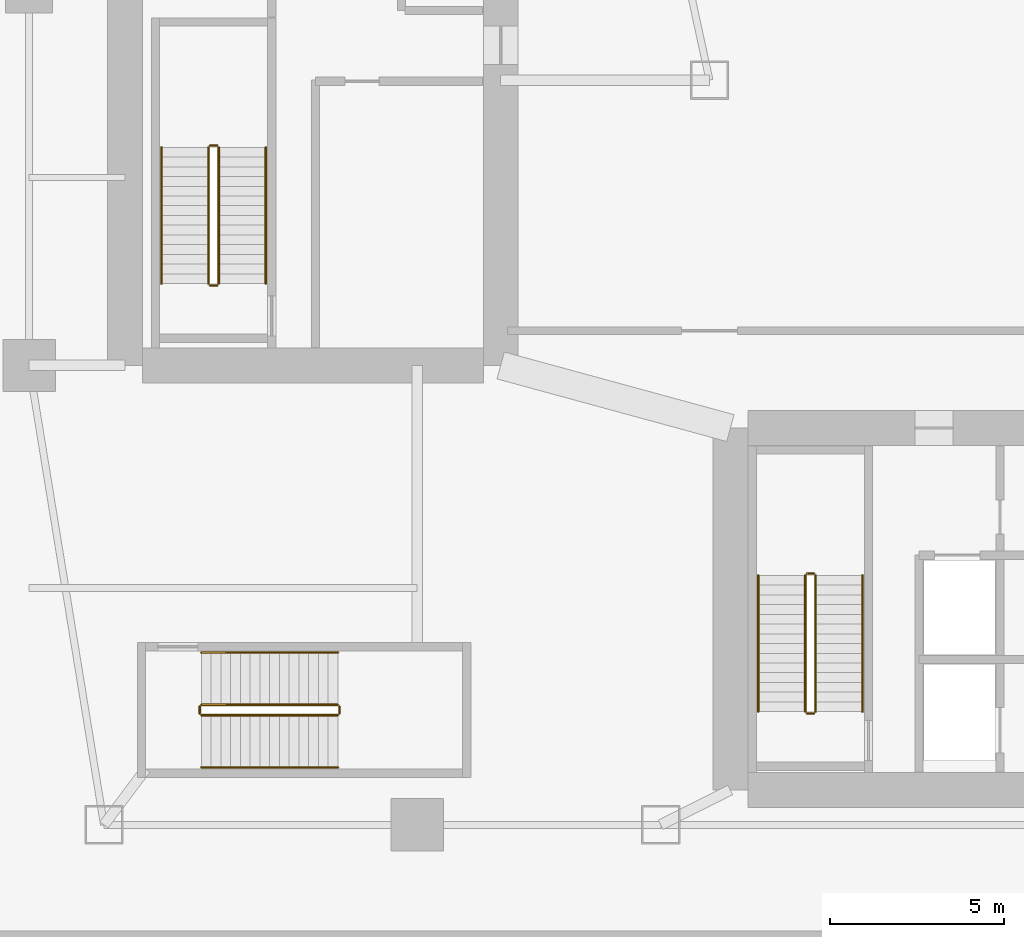
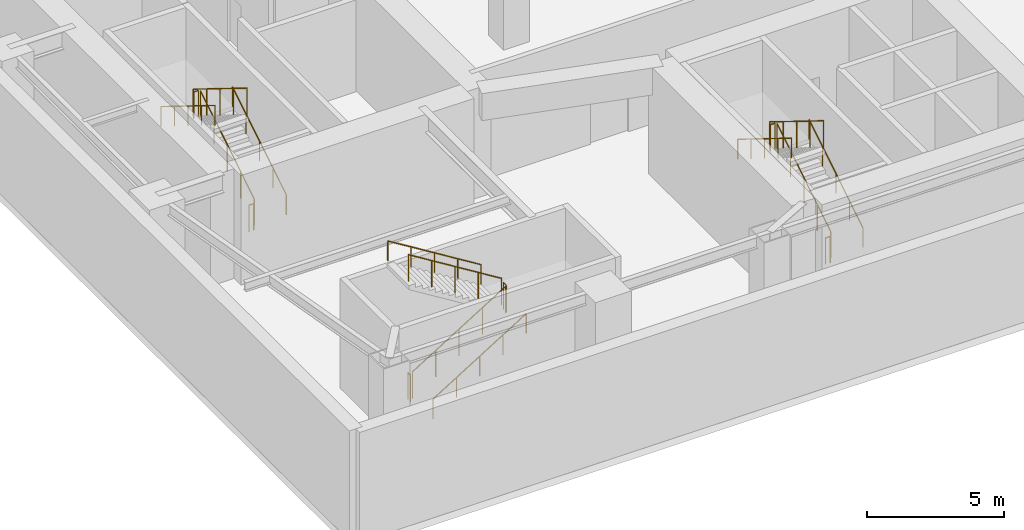
# One storey, part 10 of 13: 18 railings.
"""IFC4 building model written with IfcOpenShell, lengths in metres."""

from ifc_helpers import new_model, si_unit, direction, frame, origin, origin_2d, place, context, subcontext, project, spatial, circle, extrude, material, type_object, element, save


model = new_model("IFC4")

# Units and contexts
model_context = context("Model", 3, precision=1e-05, world=origin(), true_north=direction((0.0, 1.0)))
body_context = subcontext(model_context, "Body", "Model", "MODEL_VIEW")
ifc_project = project(units=[si_unit("LENGTHUNIT", "METRE"), si_unit("AREAUNIT", "SQUARE_METRE"), si_unit("VOLUMEUNIT", "CUBIC_METRE"), si_unit("PLANEANGLEUNIT", "RADIAN"), si_unit("MASSUNIT", "GRAM", prefix="KILO")], contexts=[model_context])

# Site, building, storey
site_placement = place(None, origin())
site = spatial("IfcSite", under=ifc_project, at=site_placement, CompositionType="ELEMENT")
building_placement = place(site_placement, origin())
building = spatial("IfcBuilding", under=site, at=building_placement, Name="Calvorn Quay Hotel", CompositionType="ELEMENT")
storey_placement = place(building_placement, frame((0.0, 0.0, -5.199951171875)))
storey = spatial("IfcBuildingStorey", under=building, at=storey_placement, Name="B1", CompositionType="ELEMENT", Elevation=-5.199951171875)

# Railings
ifc_material_1 = material(Name="Brushed Stainless Steel Handrail", Category="steel")
railing_type_1 = type_object("IfcRailingType", Name="RLG-HANDRAIL-900", PredefinedType="HANDRAIL", material=ifc_material_1)
railing_1_placement = place(storey_placement, frame((8.25, 19.14990234375, 0.17333984375)))
element("IfcRailing", 1, at=railing_1_placement, inside=storey, type_object=railing_type_1, Name="B1 ST-W stair handrail 1", PredefinedType="HANDRAIL", context=body_context, shape_type="SweptSolid", body=[
    extrude(circle(Radius=0.02392578125, at=origin_2d()), frame((0.0, 0.0, 0.8759765625), z_axis=(0.0, 0.850289973577, 0.526314507528), x_axis=(-1.0, 0.0, 0.0)), (0.0, 0.0, 1.0), 4.6103515625),
    extrude(circle(Radius=0.02099609375, at=origin_2d()), origin(), (0.0, 0.0, 1.0), 0.851806640625),
    extrude(circle(Radius=0.02099609375, at=origin_2d()), frame((0.0, 0.97998046875, 0.606689453125)), (0.0, 0.0, 1.0), 0.851806640625),
    extrude(circle(Radius=0.02099609375, at=origin_2d()), frame((0.0, 1.9599609375, 1.21337890625)), (0.0, 0.0, 1.0), 0.851806640625),
    extrude(circle(Radius=0.02099609375, at=origin_2d()), frame((0.0, 2.940185546875, 1.81982421875)), (0.0, 0.0, 1.0), 0.851806640625),
    extrude(circle(Radius=0.02099609375, at=origin_2d()), frame((0.0, 3.920166015625, 2.426513671875)), (0.0, 0.0, 1.0), 0.851806640625),
])
railing_2_placement = place(storey_placement, frame((5.25, 23.070068359375, 2.773193359375)))
element("IfcRailing", 2, at=railing_2_placement, inside=storey, type_object=railing_type_1, Name="B1 ST-W stair handrail 2", PredefinedType="HANDRAIL", context=body_context, shape_type="SweptSolid", body=[
    extrude(circle(Radius=0.02392578125, at=origin_2d()), frame((0.0, 0.0, 0.8759765625), z_axis=(0.0, -0.850266275192, 0.526352791643), x_axis=(1.0, 0.0, 0.0)), (0.0, 0.0, 1.0), 4.610595703125),
    extrude(circle(Radius=0.02099609375, at=origin_2d()), origin(), (0.0, 0.0, 1.0), 0.851806640625),
    extrude(circle(Radius=0.02099609375, at=origin_2d()), frame((0.0, -0.97998046875, 0.606689453125)), (0.0, 0.0, 1.0), 0.851806640625),
    extrude(circle(Radius=0.02099609375, at=origin_2d()), frame((0.0, -1.9599609375, 1.21337890625)), (0.0, 0.0, 1.0), 0.851806640625),
    extrude(circle(Radius=0.02099609375, at=origin_2d()), frame((0.0, -2.940185546875, 1.820068359375)), (0.0, 0.0, 1.0), 0.851806640625),
    extrude(circle(Radius=0.02099609375, at=origin_2d()), frame((0.0, -3.920166015625, 2.4267578125)), (0.0, 0.0, 1.0), 0.851806640625),
])
railing_3_placement = place(storey_placement, frame((25.39990234375, 6.85009765625, 0.17333984375)))
element("IfcRailing", 3, at=railing_3_placement, inside=storey, type_object=railing_type_1, Name="B1 ST-E stair handrail 1", PredefinedType="HANDRAIL", context=body_context, shape_type="SweptSolid", body=[
    extrude(circle(Radius=0.02392578125, at=origin_2d()), frame((0.0, 0.0, 0.8759765625), z_axis=(0.0, 0.850275303828, 0.526338206574), x_axis=(-1.0, 0.0, 0.0)), (0.0, 0.0, 1.0), 4.610107421875),
    extrude(circle(Radius=0.02099609375, at=origin_2d()), origin(), (0.0, 0.0, 1.0), 0.851806640625),
    extrude(circle(Radius=0.02099609375, at=origin_2d()), frame((0.0, 0.97998046875, 0.606689453125)), (0.0, 0.0, 1.0), 0.851806640625),
    extrude(circle(Radius=0.02099609375, at=origin_2d()), frame((0.0, 1.9599609375, 1.21337890625)), (0.0, 0.0, 1.0), 0.851806640625),
    extrude(circle(Radius=0.02099609375, at=origin_2d()), frame((0.0, 2.93994140625, 1.81982421875)), (0.0, 0.0, 1.0), 0.851806640625),
    extrude(circle(Radius=0.02099609375, at=origin_2d()), frame((0.0, 3.919921875, 2.426513671875)), (0.0, 0.0, 1.0), 0.851806640625),
])
railing_4_placement = place(storey_placement, frame((22.39990234375, 10.77001953125, 2.773193359375)))
element("IfcRailing", 4, at=railing_4_placement, inside=storey, type_object=railing_type_1, Name="B1 ST-E stair handrail 2", PredefinedType="HANDRAIL", context=body_context, shape_type="SweptSolid", body=[
    extrude(circle(Radius=0.02392578125, at=origin_2d()), frame((0.0, 0.0, 0.8759765625), z_axis=(0.0, -0.850251603719, 0.526376491091), x_axis=(1.0, 0.0, 0.0)), (0.0, 0.0, 1.0), 4.6103515625),
    extrude(circle(Radius=0.02099609375, at=origin_2d()), origin(), (0.0, 0.0, 1.0), 0.851806640625),
    extrude(circle(Radius=0.02099609375, at=origin_2d()), frame((0.0, -0.97998046875, 0.606689453125)), (0.0, 0.0, 1.0), 0.851806640625),
    extrude(circle(Radius=0.02099609375, at=origin_2d()), frame((0.0, -1.9599609375, 1.21337890625)), (0.0, 0.0, 1.0), 0.851806640625),
    extrude(circle(Radius=0.02099609375, at=origin_2d()), frame((0.0, -2.93994140625, 1.820068359375)), (0.0, 0.0, 1.0), 0.851806640625),
    extrude(circle(Radius=0.02099609375, at=origin_2d()), frame((0.0, -3.919921875, 2.4267578125)), (0.0, 0.0, 1.0), 0.851806640625),
])
railing_5_placement = place(storey_placement, frame((6.39990234375, 5.25, 0.17333984375)))
element("IfcRailing", 5, at=railing_5_placement, inside=storey, type_object=railing_type_1, Name="B1 ST-P2 stair handrail 1", PredefinedType="HANDRAIL", context=body_context, shape_type="SweptSolid", body=[
    extrude(circle(Radius=0.02392578125, at=origin_2d()), frame((0.0, 0.0, 0.8759765625), z_axis=(0.850289973577, 0.0, 0.526314507528), x_axis=(0.0, 1.0, 0.0)), (0.0, 0.0, 1.0), 4.6103515625),
    extrude(circle(Radius=0.02099609375, at=origin_2d()), origin(), (0.0, 0.0, 1.0), 0.851806640625),
    extrude(circle(Radius=0.02099609375, at=origin_2d()), frame((0.97998046875, 0.0, 0.606689453125)), (0.0, 0.0, 1.0), 0.851806640625),
    extrude(circle(Radius=0.02099609375, at=origin_2d()), frame((1.9599609375, 0.0, 1.21337890625)), (0.0, 0.0, 1.0), 0.851806640625),
    extrude(circle(Radius=0.02099609375, at=origin_2d()), frame((2.940185546875, 0.0, 1.81982421875)), (0.0, 0.0, 1.0), 0.851806640625),
    extrude(circle(Radius=0.02099609375, at=origin_2d()), frame((3.920166015625, 0.0, 2.426513671875)), (0.0, 0.0, 1.0), 0.851806640625),
])
railing_6_placement = place(storey_placement, frame((10.320068359375, 8.550048828125, 2.773193359375)))
element("IfcRailing", 6, at=railing_6_placement, inside=storey, type_object=railing_type_1, Name="B1 ST-P2 stair handrail 2", PredefinedType="HANDRAIL", context=body_context, shape_type="SweptSolid", body=[
    extrude(circle(Radius=0.02392578125, at=origin_2d()), frame((0.0, 0.0, 0.8759765625), z_axis=(-0.850266275192, 0.0, 0.526352791643), x_axis=(0.0, -1.0, 0.0)), (0.0, 0.0, 1.0), 4.610595703125),
    extrude(circle(Radius=0.02099609375, at=origin_2d()), origin(), (0.0, 0.0, 1.0), 0.851806640625),
    extrude(circle(Radius=0.02099609375, at=origin_2d()), frame((-0.97998046875, 0.0, 0.606689453125)), (0.0, 0.0, 1.0), 0.851806640625),
    extrude(circle(Radius=0.02099609375, at=origin_2d()), frame((-1.9599609375, 0.0, 1.21337890625)), (0.0, 0.0, 1.0), 0.851806640625),
    extrude(circle(Radius=0.02099609375, at=origin_2d()), frame((-2.940185546875, 0.0, 1.820068359375)), (0.0, 0.0, 1.0), 0.851806640625),
    extrude(circle(Radius=0.02099609375, at=origin_2d()), frame((-3.920166015625, 0.0, 2.4267578125)), (0.0, 0.0, 1.0), 0.851806640625),
])
ifc_material_2 = material(Name="Painted Galvanised Steel Balustrade", Category="steel")
railing_type_2 = type_object("IfcRailingType", Name="RLG-STAIR-GUARD-1120", PredefinedType="GUARDRAIL", material=ifc_material_2)
railing_7_placement = place(storey_placement, frame((6.89990234375, 19.14990234375, 0.17333984375)))
element("IfcRailing", 7, at=railing_7_placement, inside=storey, type_object=railing_type_2, Name="B1 ST-W stair guard 1", PredefinedType="GUARDRAIL", context=body_context, shape_type="SweptSolid", body=[
    extrude(circle(Radius=0.02392578125, at=origin_2d()), frame((0.0, 0.0, 1.17578125), z_axis=(0.0, 0.850289973577, 0.526314507528), x_axis=(-1.0, 0.0, 0.0)), (0.0, 0.0, 1.0), 4.6103515625),
    extrude(circle(Radius=0.02099609375, at=origin_2d()), origin(), (0.0, 0.0, 1.0), 1.15185546875),
    extrude(circle(Radius=0.02099609375, at=origin_2d()), frame((0.0, 0.97998046875, 0.606689453125)), (0.0, 0.0, 1.0), 1.15185546875),
    extrude(circle(Radius=0.02099609375, at=origin_2d()), frame((0.0, 1.9599609375, 1.21337890625)), (0.0, 0.0, 1.0), 1.15185546875),
    extrude(circle(Radius=0.02099609375, at=origin_2d()), frame((0.0, 2.940185546875, 1.81982421875)), (0.0, 0.0, 1.0), 1.15185546875),
    extrude(circle(Radius=0.02099609375, at=origin_2d()), frame((0.0, 3.920166015625, 2.426513671875)), (0.0, 0.0, 1.0), 1.15185546875),
])
railing_8_placement = place(storey_placement, frame((6.85009765625, 23.1201171875, 2.599853515625)))
element("IfcRailing", 8, at=railing_8_placement, inside=storey, type_object=railing_type_2, Name="B1 ST-W stair guard 2", PredefinedType="GUARDRAIL", context=body_context, shape_type="SweptSolid", body=[
    extrude(circle(Radius=0.02392578125, at=origin_2d()), frame((0.0, 0.0, 1.17578125), z_axis=(-1.0, 0.0, 0.0), x_axis=(0.0, -1.0, 0.0)), (0.0, 0.0, 1.0), 0.2001953125),
    extrude(circle(Radius=0.02099609375, at=origin_2d()), origin(), (0.0, 0.0, 1.0), 1.15185546875),
    extrude(circle(Radius=0.02099609375, at=origin_2d()), frame((-0.2001953125, 0.0, 0.0)), (0.0, 0.0, 1.0), 1.15185546875),
])
railing_9_placement = place(storey_placement, frame((6.60009765625, 23.070068359375, 2.773193359375)))
element("IfcRailing", 9, at=railing_9_placement, inside=storey, type_object=railing_type_2, Name="B1 ST-W stair guard 3", PredefinedType="GUARDRAIL", context=body_context, shape_type="SweptSolid", body=[
    extrude(circle(Radius=0.02392578125, at=origin_2d()), frame((0.0, 0.0, 1.17578125), z_axis=(0.0, -0.850266275192, 0.526352791643), x_axis=(1.0, 0.0, 0.0)), (0.0, 0.0, 1.0), 4.610595703125),
    extrude(circle(Radius=0.02099609375, at=origin_2d()), origin(), (0.0, 0.0, 1.0), 1.15185546875),
    extrude(circle(Radius=0.02099609375, at=origin_2d()), frame((0.0, -0.97998046875, 0.606689453125)), (0.0, 0.0, 1.0), 1.15185546875),
    extrude(circle(Radius=0.02099609375, at=origin_2d()), frame((0.0, -1.9599609375, 1.21337890625)), (0.0, 0.0, 1.0), 1.15185546875),
    extrude(circle(Radius=0.02099609375, at=origin_2d()), frame((0.0, -2.940185546875, 1.820068359375)), (0.0, 0.0, 1.0), 1.15185546875),
    extrude(circle(Radius=0.02099609375, at=origin_2d()), frame((0.0, -3.920166015625, 2.4267578125)), (0.0, 0.0, 1.0), 1.15185546875),
])
railing_10_placement = place(storey_placement, frame((6.85009765625, 19.10009765625, 0.0)))
element("IfcRailing", 10, at=railing_10_placement, inside=storey, type_object=railing_type_2, Name="B1 ST-W stair guard 4", PredefinedType="GUARDRAIL", context=body_context, shape_type="SweptSolid", body=[
    extrude(circle(Radius=0.02392578125, at=origin_2d()), frame((0.0, 0.0, 1.17578125), z_axis=(-1.0, 0.0, 0.0), x_axis=(0.0, -1.0, 0.0)), (0.0, 0.0, 1.0), 0.2001953125),
    extrude(circle(Radius=0.02099609375, at=origin_2d()), origin(), (0.0, 0.0, 1.0), 1.15185546875),
    extrude(circle(Radius=0.02099609375, at=origin_2d()), frame((-0.2001953125, 0.0, 0.0)), (0.0, 0.0, 1.0), 1.15185546875),
])
railing_11_placement = place(storey_placement, frame((24.050048828125, 6.85009765625, 0.17333984375)))
element("IfcRailing", 11, at=railing_11_placement, inside=storey, type_object=railing_type_2, Name="B1 ST-E stair guard 1", PredefinedType="GUARDRAIL", context=body_context, shape_type="SweptSolid", body=[
    extrude(circle(Radius=0.02392578125, at=origin_2d()), frame((0.0, 0.0, 1.17578125), z_axis=(0.0, 0.850275303828, 0.526338206574), x_axis=(-1.0, 0.0, 0.0)), (0.0, 0.0, 1.0), 4.610107421875),
    extrude(circle(Radius=0.02099609375, at=origin_2d()), origin(), (0.0, 0.0, 1.0), 1.15185546875),
    extrude(circle(Radius=0.02099609375, at=origin_2d()), frame((0.0, 0.97998046875, 0.606689453125)), (0.0, 0.0, 1.0), 1.15185546875),
    extrude(circle(Radius=0.02099609375, at=origin_2d()), frame((0.0, 1.9599609375, 1.21337890625)), (0.0, 0.0, 1.0), 1.15185546875),
    extrude(circle(Radius=0.02099609375, at=origin_2d()), frame((0.0, 2.93994140625, 1.81982421875)), (0.0, 0.0, 1.0), 1.15185546875),
    extrude(circle(Radius=0.02099609375, at=origin_2d()), frame((0.0, 3.919921875, 2.426513671875)), (0.0, 0.0, 1.0), 1.15185546875),
])
railing_12_placement = place(storey_placement, frame((24.0, 10.820068359375, 2.599853515625)))
element("IfcRailing", 12, at=railing_12_placement, inside=storey, type_object=railing_type_2, Name="B1 ST-E stair guard 2", PredefinedType="GUARDRAIL", context=body_context, shape_type="SweptSolid", body=[
    extrude(circle(Radius=0.02392578125, at=origin_2d()), frame((0.0, 0.0, 1.17578125), z_axis=(-1.0, 0.0, 0.0), x_axis=(0.0, -1.0, 0.0)), (0.0, 0.0, 1.0), 0.199951171875),
    extrude(circle(Radius=0.02099609375, at=origin_2d()), origin(), (0.0, 0.0, 1.0), 1.15185546875),
    extrude(circle(Radius=0.02099609375, at=origin_2d()), frame((-0.199951171875, 0.0, 0.0)), (0.0, 0.0, 1.0), 1.15185546875),
])
railing_13_placement = place(storey_placement, frame((23.75, 10.77001953125, 2.773193359375)))
element("IfcRailing", 13, at=railing_13_placement, inside=storey, type_object=railing_type_2, Name="B1 ST-E stair guard 3", PredefinedType="GUARDRAIL", context=body_context, shape_type="SweptSolid", body=[
    extrude(circle(Radius=0.02392578125, at=origin_2d()), frame((0.0, 0.0, 1.17578125), z_axis=(0.0, -0.850251603719, 0.526376491091), x_axis=(1.0, 0.0, 0.0)), (0.0, 0.0, 1.0), 4.6103515625),
    extrude(circle(Radius=0.02099609375, at=origin_2d()), origin(), (0.0, 0.0, 1.0), 1.15185546875),
    extrude(circle(Radius=0.02099609375, at=origin_2d()), frame((0.0, -0.97998046875, 0.606689453125)), (0.0, 0.0, 1.0), 1.15185546875),
    extrude(circle(Radius=0.02099609375, at=origin_2d()), frame((0.0, -1.9599609375, 1.21337890625)), (0.0, 0.0, 1.0), 1.15185546875),
    extrude(circle(Radius=0.02099609375, at=origin_2d()), frame((0.0, -2.93994140625, 1.820068359375)), (0.0, 0.0, 1.0), 1.15185546875),
    extrude(circle(Radius=0.02099609375, at=origin_2d()), frame((0.0, -3.919921875, 2.4267578125)), (0.0, 0.0, 1.0), 1.15185546875),
])
railing_14_placement = place(storey_placement, frame((24.0, 6.800048828125, 0.0)))
element("IfcRailing", 14, at=railing_14_placement, inside=storey, type_object=railing_type_2, Name="B1 ST-E stair guard 4", PredefinedType="GUARDRAIL", context=body_context, shape_type="SweptSolid", body=[
    extrude(circle(Radius=0.02392578125, at=origin_2d()), frame((0.0, 0.0, 1.17578125), z_axis=(-1.0, 0.0, 0.0), x_axis=(0.0, -1.0, 0.0)), (0.0, 0.0, 1.0), 0.199951171875),
    extrude(circle(Radius=0.02099609375, at=origin_2d()), origin(), (0.0, 0.0, 1.0), 1.15185546875),
    extrude(circle(Radius=0.02099609375, at=origin_2d()), frame((-0.199951171875, 0.0, 0.0)), (0.0, 0.0, 1.0), 1.15185546875),
])
railing_15_placement = place(storey_placement, frame((6.39990234375, 6.75, 0.17333984375)))
element("IfcRailing", 15, at=railing_15_placement, inside=storey, type_object=railing_type_2, Name="B1 ST-P2 stair guard 1", PredefinedType="GUARDRAIL", context=body_context, shape_type="SweptSolid", body=[
    extrude(circle(Radius=0.02392578125, at=origin_2d()), frame((0.0, 0.0, 1.17578125), z_axis=(0.850289973577, 0.0, 0.526314507528), x_axis=(0.0, 1.0, 0.0)), (0.0, 0.0, 1.0), 4.6103515625),
    extrude(circle(Radius=0.02099609375, at=origin_2d()), origin(), (0.0, 0.0, 1.0), 1.15185546875),
    extrude(circle(Radius=0.02099609375, at=origin_2d()), frame((0.97998046875, 0.0, 0.606689453125)), (0.0, 0.0, 1.0), 1.15185546875),
    extrude(circle(Radius=0.02099609375, at=origin_2d()), frame((1.9599609375, 0.0, 1.21337890625)), (0.0, 0.0, 1.0), 1.15185546875),
    extrude(circle(Radius=0.02099609375, at=origin_2d()), frame((2.940185546875, 0.0, 1.81982421875)), (0.0, 0.0, 1.0), 1.15185546875),
    extrude(circle(Radius=0.02099609375, at=origin_2d()), frame((3.920166015625, 0.0, 2.426513671875)), (0.0, 0.0, 1.0), 1.15185546875),
])
railing_16_placement = place(storey_placement, frame((10.3701171875, 6.800048828125, 2.599853515625)))
element("IfcRailing", 16, at=railing_16_placement, inside=storey, type_object=railing_type_2, Name="B1 ST-P2 stair guard 2", PredefinedType="GUARDRAIL", context=body_context, shape_type="SweptSolid", body=[
    extrude(circle(Radius=0.02392578125, at=origin_2d()), frame((0.0, 0.0, 1.17578125), z_axis=(0.0, 1.0, 0.0), x_axis=(-1.0, 0.0, 0.0)), (0.0, 0.0, 1.0), 0.199951171875),
    extrude(circle(Radius=0.02099609375, at=origin_2d()), origin(), (0.0, 0.0, 1.0), 1.15185546875),
    extrude(circle(Radius=0.02099609375, at=origin_2d()), frame((0.0, 0.199951171875, 0.0)), (0.0, 0.0, 1.0), 1.15185546875),
])
railing_17_placement = place(storey_placement, frame((10.320068359375, 7.050048828125, 2.773193359375)))
element("IfcRailing", 17, at=railing_17_placement, inside=storey, type_object=railing_type_2, Name="B1 ST-P2 stair guard 3", PredefinedType="GUARDRAIL", context=body_context, shape_type="SweptSolid", body=[
    extrude(circle(Radius=0.02392578125, at=origin_2d()), frame((0.0, 0.0, 1.17578125), z_axis=(-0.850266275192, 0.0, 0.526352791643), x_axis=(0.0, -1.0, 0.0)), (0.0, 0.0, 1.0), 4.610595703125),
    extrude(circle(Radius=0.02099609375, at=origin_2d()), origin(), (0.0, 0.0, 1.0), 1.15185546875),
    extrude(circle(Radius=0.02099609375, at=origin_2d()), frame((-0.97998046875, 0.0, 0.606689453125)), (0.0, 0.0, 1.0), 1.15185546875),
    extrude(circle(Radius=0.02099609375, at=origin_2d()), frame((-1.9599609375, 0.0, 1.21337890625)), (0.0, 0.0, 1.0), 1.15185546875),
    extrude(circle(Radius=0.02099609375, at=origin_2d()), frame((-2.940185546875, 0.0, 1.820068359375)), (0.0, 0.0, 1.0), 1.15185546875),
    extrude(circle(Radius=0.02099609375, at=origin_2d()), frame((-3.920166015625, 0.0, 2.4267578125)), (0.0, 0.0, 1.0), 1.15185546875),
])
railing_18_placement = place(storey_placement, frame((6.35009765625, 6.800048828125, 0.0)))
element("IfcRailing", 18, at=railing_18_placement, inside=storey, type_object=railing_type_2, Name="B1 ST-P2 stair guard 4", PredefinedType="GUARDRAIL", context=body_context, shape_type="SweptSolid", body=[
    extrude(circle(Radius=0.02392578125, at=origin_2d()), frame((0.0, 0.0, 1.17578125), z_axis=(0.0, 1.0, 0.0), x_axis=(-1.0, 0.0, 0.0)), (0.0, 0.0, 1.0), 0.199951171875),
    extrude(circle(Radius=0.02099609375, at=origin_2d()), origin(), (0.0, 0.0, 1.0), 1.15185546875),
    extrude(circle(Radius=0.02099609375, at=origin_2d()), frame((0.0, 0.199951171875, 0.0)), (0.0, 0.0, 1.0), 1.15185546875),
])

save(model, "model.ifc")
